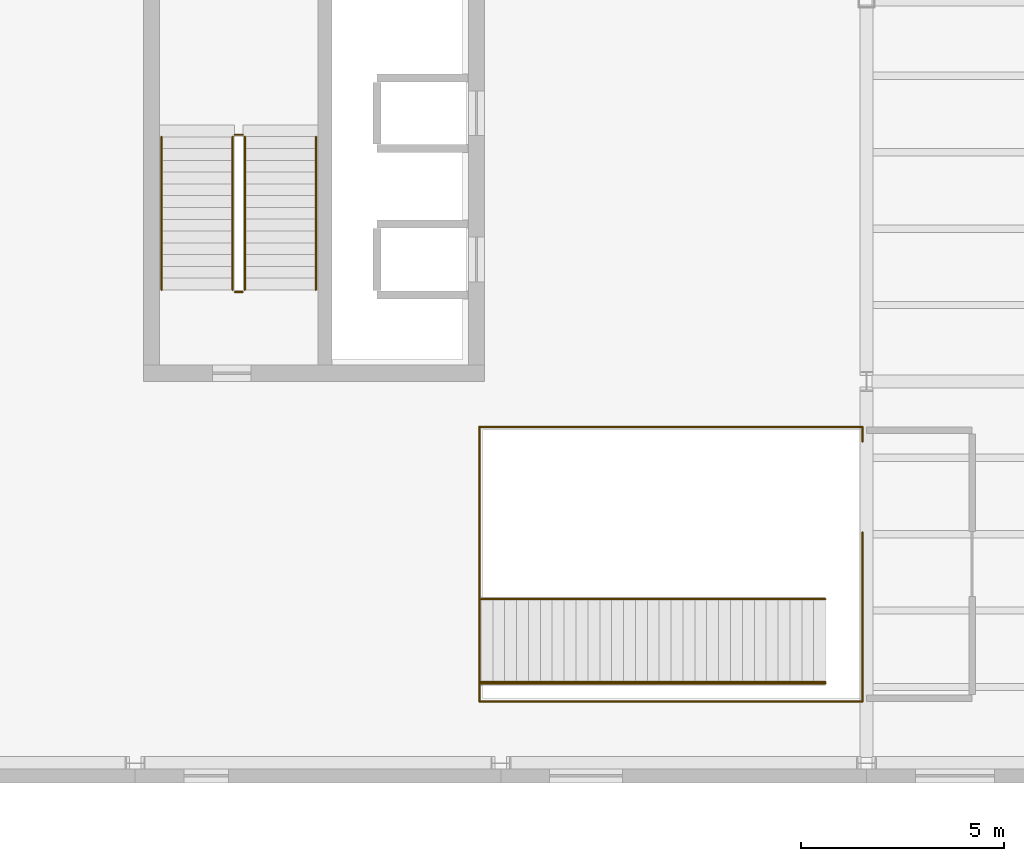
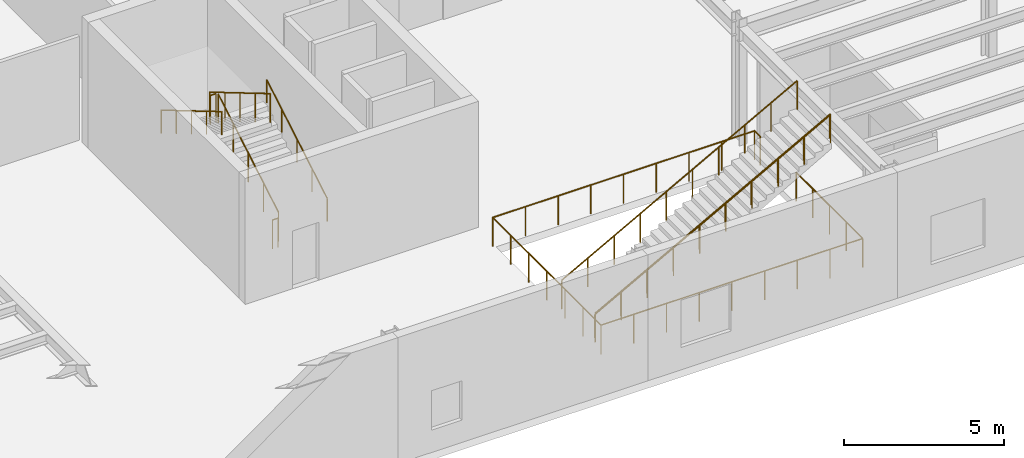
# One storey, part 90 of 91: 10 railings.
"""IFC4 building model written with IfcOpenShell, lengths in metres."""

from ifc_helpers import new_model, si_unit, direction, frame, origin, origin_2d, place, context, subcontext, project, spatial, circle, extrude, material, type_object, element, save


model = new_model("IFC4")

# Units and contexts
model_context = context("Model", 3, precision=1e-05, world=origin(), true_north=direction((0.0, 1.0)))
body_context = subcontext(model_context, "Body", "Model", "MODEL_VIEW")
ifc_project = project(units=[si_unit("LENGTHUNIT", "METRE"), si_unit("AREAUNIT", "SQUARE_METRE"), si_unit("VOLUMEUNIT", "CUBIC_METRE"), si_unit("PLANEANGLEUNIT", "RADIAN"), si_unit("MASSUNIT", "GRAM", prefix="KILO")], contexts=[model_context])

# Site, building, storey
site_placement = place(None, origin())
site = spatial("IfcSite", under=ifc_project, at=site_placement, CompositionType="ELEMENT")
building_placement = place(site_placement, origin())
building = spatial("IfcBuilding", under=site, at=building_placement, Name="Sollismere Congress Hotel", CompositionType="ELEMENT")
storey_placement = place(building_placement, frame((0.0, 0.0, 10.800048828125)))
storey = spatial("IfcBuildingStorey", under=building, at=storey_placement, Name="L02", CompositionType="ELEMENT", Elevation=10.800048828125)

# Railings
ifc_material_1 = material(Name="Bronze and Laminated Safety Glass", Category="glass")
railing_type_1 = type_object("IfcRailingType", Name="RL-BAL112I", PredefinedType="BALUSTRADE", material=ifc_material_1)
railing_1_placement = place(storey_placement, frame((93.89990234375, 72.47998046875, 0.0)))
element("IfcRailing", 1, at=railing_1_placement, inside=storey, type_object=railing_type_1, Name="RLG-GDA-L02-006", PredefinedType="BALUSTRADE", context=body_context, shape_type="SweptSolid", body=[
    extrude(circle(Radius=0.02392578125, at=origin_2d()), frame((0.0, 0.0, 1.09619140625), z_axis=(0.0, -1.0, 0.0), x_axis=(1.0, 0.0, 0.0)), (0.0, 0.0, 1.0), 4.159912109375),
    extrude(circle(Radius=0.02392578125, at=origin_2d()), frame((0.0, -4.159912109375, 1.09619140625), z_axis=(-1.0, 0.0, 0.0), x_axis=(0.0, -1.0, 0.0)), (0.0, 0.0, 1.0), 9.429931640625),
    extrude(circle(Radius=0.02392578125, at=origin_2d()), frame((-9.429931640625, -4.159912109375, 1.09619140625), z_axis=(0.0, 1.0, 0.0), x_axis=(-1.0, 0.0, 0.0)), (0.0, 0.0, 1.0), 6.760009765625),
    extrude(circle(Radius=0.02392578125, at=origin_2d()), frame((-9.429931640625, 2.60009765625, 1.09619140625), z_axis=(1.0, 0.0, 0.0), x_axis=(0.0, 1.0, 0.0)), (0.0, 0.0, 1.0), 9.429931640625),
    extrude(circle(Radius=0.02392578125, at=origin_2d()), frame((0.0, 2.60009765625, 1.09619140625), z_axis=(0.0, -1.0, 0.0), x_axis=(1.0, 0.0, 0.0)), (0.0, 0.0, 1.0), 0.360107421875),
    extrude(circle(Radius=0.02099609375, at=origin_2d()), origin(), (0.0, 0.0, 1.0), 1.072021484375),
    extrude(circle(Radius=0.02099609375, at=origin_2d()), frame((0.0, -1.0400390625, 0.0)), (0.0, 0.0, 1.0), 1.072021484375),
    extrude(circle(Radius=0.02099609375, at=origin_2d()), frame((0.0, -2.080078125, 0.0)), (0.0, 0.0, 1.0), 1.072021484375),
    extrude(circle(Radius=0.02099609375, at=origin_2d()), frame((0.0, -3.119873046875, 0.0)), (0.0, 0.0, 1.0), 1.072021484375),
    extrude(circle(Radius=0.02099609375, at=origin_2d()), frame((0.0, -4.159912109375, 0.0)), (0.0, 0.0, 1.0), 1.072021484375),
    extrude(circle(Radius=0.02099609375, at=origin_2d()), frame((-1.1787109375, -4.159912109375, 0.0)), (0.0, 0.0, 1.0), 1.072021484375),
    extrude(circle(Radius=0.02099609375, at=origin_2d()), frame((-2.357421875, -4.159912109375, 0.0)), (0.0, 0.0, 1.0), 1.072021484375),
    extrude(circle(Radius=0.02099609375, at=origin_2d()), frame((-3.5361328125, -4.159912109375, 0.0)), (0.0, 0.0, 1.0), 1.072021484375),
    extrude(circle(Radius=0.02099609375, at=origin_2d()), frame((-4.71484375, -4.159912109375, 0.0)), (0.0, 0.0, 1.0), 1.072021484375),
    extrude(circle(Radius=0.02099609375, at=origin_2d()), frame((-5.893798828125, -4.159912109375, 0.0)), (0.0, 0.0, 1.0), 1.072021484375),
    extrude(circle(Radius=0.02099609375, at=origin_2d()), frame((-7.072509765625, -4.159912109375, 0.0)), (0.0, 0.0, 1.0), 1.072021484375),
    extrude(circle(Radius=0.02099609375, at=origin_2d()), frame((-8.251220703125, -4.159912109375, 0.0)), (0.0, 0.0, 1.0), 1.072021484375),
    extrude(circle(Radius=0.02099609375, at=origin_2d()), frame((-9.429931640625, -4.159912109375, 0.0)), (0.0, 0.0, 1.0), 1.072021484375),
    extrude(circle(Radius=0.02099609375, at=origin_2d()), frame((-9.429931640625, -3.033203125, 0.0)), (0.0, 0.0, 1.0), 1.072021484375),
    extrude(circle(Radius=0.02099609375, at=origin_2d()), frame((-9.429931640625, -1.906494140625, 0.0)), (0.0, 0.0, 1.0), 1.072021484375),
    extrude(circle(Radius=0.02099609375, at=origin_2d()), frame((-9.429931640625, -0.77978515625, 0.0)), (0.0, 0.0, 1.0), 1.072021484375),
    extrude(circle(Radius=0.02099609375, at=origin_2d()), frame((-9.429931640625, 0.3466796875, 0.0)), (0.0, 0.0, 1.0), 1.072021484375),
    extrude(circle(Radius=0.02099609375, at=origin_2d()), frame((-9.429931640625, 1.473388671875, 0.0)), (0.0, 0.0, 1.0), 1.072021484375),
    extrude(circle(Radius=0.02099609375, at=origin_2d()), frame((-9.429931640625, 2.60009765625, 0.0)), (0.0, 0.0, 1.0), 1.072021484375),
    extrude(circle(Radius=0.02099609375, at=origin_2d()), frame((-8.251220703125, 2.60009765625, 0.0)), (0.0, 0.0, 1.0), 1.072021484375),
    extrude(circle(Radius=0.02099609375, at=origin_2d()), frame((-7.072509765625, 2.60009765625, 0.0)), (0.0, 0.0, 1.0), 1.072021484375),
    extrude(circle(Radius=0.02099609375, at=origin_2d()), frame((-5.893798828125, 2.60009765625, 0.0)), (0.0, 0.0, 1.0), 1.072021484375),
    extrude(circle(Radius=0.02099609375, at=origin_2d()), frame((-4.71484375, 2.60009765625, 0.0)), (0.0, 0.0, 1.0), 1.072021484375),
    extrude(circle(Radius=0.02099609375, at=origin_2d()), frame((-3.5361328125, 2.60009765625, 0.0)), (0.0, 0.0, 1.0), 1.072021484375),
    extrude(circle(Radius=0.02099609375, at=origin_2d()), frame((-2.357421875, 2.60009765625, 0.0)), (0.0, 0.0, 1.0), 1.072021484375),
    extrude(circle(Radius=0.02099609375, at=origin_2d()), frame((-1.1787109375, 2.60009765625, 0.0)), (0.0, 0.0, 1.0), 1.072021484375),
    extrude(circle(Radius=0.02099609375, at=origin_2d()), frame((0.0, 2.60009765625, 0.0)), (0.0, 0.0, 1.0), 1.072021484375),
    extrude(circle(Radius=0.02099609375, at=origin_2d()), frame((0.0, 2.239990234375, 0.0)), (0.0, 0.0, 1.0), 1.072021484375),
])
ifc_material_2 = material(Name="Steel ASTM A500 Grade C", Category="steel")
railing_type_2 = type_object("IfcRailingType", Name="RL-GRD112", PredefinedType="GUARDRAIL", material=ifc_material_2)
railing_2_placement = place(storey_placement, frame((78.699951171875, 78.449951171875, 0.17138671875)))
element("IfcRailing", 2, at=railing_2_placement, inside=storey, type_object=railing_type_2, Name="RLG-RG-ST-04-L02-1", PredefinedType="GUARDRAIL", context=body_context, shape_type="SweptSolid", body=[
    extrude(circle(Radius=0.02392578125, at=origin_2d()), frame((0.0, 0.0, 1.09619140625), z_axis=(0.0, 0.860848830602, 0.508860777473), x_axis=(-1.0, 0.0, 0.0)), (0.0, 0.0, 1.0), 4.37939453125),
    extrude(circle(Radius=0.02099609375, at=origin_2d()), origin(), (0.0, 0.0, 1.0), 1.072021484375),
    extrude(circle(Radius=0.02099609375, at=origin_2d()), frame((0.0, 0.9423828125, 0.55712890625)), (0.0, 0.0, 1.0), 1.072021484375),
    extrude(circle(Radius=0.02099609375, at=origin_2d()), frame((0.0, 1.885009765625, 1.1142578125)), (0.0, 0.0, 1.0), 1.072021484375),
    extrude(circle(Radius=0.02099609375, at=origin_2d()), frame((0.0, 2.82763671875, 1.67138671875)), (0.0, 0.0, 1.0), 1.072021484375),
    extrude(circle(Radius=0.02099609375, at=origin_2d()), frame((0.0, 3.77001953125, 2.228515625)), (0.0, 0.0, 1.0), 1.072021484375),
])
railing_3_placement = place(storey_placement, frame((78.64990234375, 82.27001953125, 2.39990234375)))
element("IfcRailing", 3, at=railing_3_placement, inside=storey, type_object=railing_type_2, Name="RLG-RG-ST-04-L02-2", PredefinedType="GUARDRAIL", context=body_context, shape_type="SweptSolid", body=[
    extrude(circle(Radius=0.02392578125, at=origin_2d()), frame((0.0, 0.0, 1.09619140625), z_axis=(-1.0, 0.0, 0.0), x_axis=(0.0, -1.0, 0.0)), (0.0, 0.0, 1.0), 0.199951171875),
    extrude(circle(Radius=0.02099609375, at=origin_2d()), origin(), (0.0, 0.0, 1.0), 1.072021484375),
    extrude(circle(Radius=0.02099609375, at=origin_2d()), frame((-0.199951171875, 0.0, 0.0)), (0.0, 0.0, 1.0), 1.072021484375),
])
railing_4_placement = place(storey_placement, frame((78.39990234375, 82.219970703125, 2.5712890625)))
element("IfcRailing", 4, at=railing_4_placement, inside=storey, type_object=railing_type_2, Name="RLG-RG-ST-04-L02-3", PredefinedType="GUARDRAIL", context=body_context, shape_type="SweptSolid", body=[
    extrude(circle(Radius=0.02392578125, at=origin_2d()), frame((0.0, 0.0, 1.09619140625), z_axis=(0.0, -0.860824410104, 0.508902087802), x_axis=(1.0, 0.0, 0.0)), (0.0, 0.0, 1.0), 4.379638671875),
    extrude(circle(Radius=0.02099609375, at=origin_2d()), origin(), (0.0, 0.0, 1.0), 1.072021484375),
    extrude(circle(Radius=0.02099609375, at=origin_2d()), frame((0.0, -0.9423828125, 0.55712890625)), (0.0, 0.0, 1.0), 1.072021484375),
    extrude(circle(Radius=0.02099609375, at=origin_2d()), frame((0.0, -1.885009765625, 1.1142578125)), (0.0, 0.0, 1.0), 1.072021484375),
    extrude(circle(Radius=0.02099609375, at=origin_2d()), frame((0.0, -2.82763671875, 1.671630859375)), (0.0, 0.0, 1.0), 1.072021484375),
    extrude(circle(Radius=0.02099609375, at=origin_2d()), frame((0.0, -3.77001953125, 2.228759765625)), (0.0, 0.0, 1.0), 1.072021484375),
])
railing_5_placement = place(storey_placement, frame((78.64990234375, 78.39990234375, 0.0)))
element("IfcRailing", 5, at=railing_5_placement, inside=storey, type_object=railing_type_2, Name="RLG-RG-ST-04-L02-4", PredefinedType="GUARDRAIL", context=body_context, shape_type="SweptSolid", body=[
    extrude(circle(Radius=0.02392578125, at=origin_2d()), frame((0.0, 0.0, 1.09619140625), z_axis=(-1.0, 0.0, 0.0), x_axis=(0.0, -1.0, 0.0)), (0.0, 0.0, 1.0), 0.199951171875),
    extrude(circle(Radius=0.02099609375, at=origin_2d()), origin(), (0.0, 0.0, 1.0), 1.072021484375),
    extrude(circle(Radius=0.02099609375, at=origin_2d()), frame((-0.199951171875, 0.0, 0.0)), (0.0, 0.0, 1.0), 1.072021484375),
])
for number, where, name in (
    (6, (84.510009765625, 68.760009765625, 0.169921875), "RLG-RG-ST-13-A"),
    (7, (84.510009765625, 70.840087890625, 0.169921875), "RLG-RG-ST-13-B"),
):
    element("IfcRailing", number, at=place(storey_placement, frame(where)), inside=storey, type_object=railing_type_2, Name=name, PredefinedType="GUARDRAIL", context=body_context, shape_type="SweptSolid", body=[
        extrude(circle(Radius=0.02392578125, at=origin_2d()), frame((0.0, 0.0, 1.09619140625), z_axis=(0.877749745013, 0.0, 0.47911938505), x_axis=(0.0, 1.0, 0.0)), (0.0, 0.0, 1.0), 9.663818359375),
        extrude(circle(Radius=0.02099609375, at=origin_2d()), origin(), (0.0, 0.0, 1.0), 1.072021484375),
        extrude(circle(Radius=0.02099609375, at=origin_2d()), frame((0.9423828125, 0.0, 0.514404296875)), (0.0, 0.0, 1.0), 1.072021484375),
        extrude(circle(Radius=0.02099609375, at=origin_2d()), frame((1.885009765625, 0.0, 1.02880859375)), (0.0, 0.0, 1.0), 1.072021484375),
        extrude(circle(Radius=0.02099609375, at=origin_2d()), frame((2.827392578125, 0.0, 1.54345703125)), (0.0, 0.0, 1.0), 1.072021484375),
        extrude(circle(Radius=0.02099609375, at=origin_2d()), frame((3.77001953125, 0.0, 2.057861328125)), (0.0, 0.0, 1.0), 1.072021484375),
        extrude(circle(Radius=0.02099609375, at=origin_2d()), frame((4.71240234375, 0.0, 2.572265625)), (0.0, 0.0, 1.0), 1.072021484375),
        extrude(circle(Radius=0.02099609375, at=origin_2d()), frame((5.655029296875, 0.0, 3.086669921875)), (0.0, 0.0, 1.0), 1.072021484375),
        extrude(circle(Radius=0.02099609375, at=origin_2d()), frame((6.597412109375, 0.0, 3.601318359375)), (0.0, 0.0, 1.0), 1.072021484375),
        extrude(circle(Radius=0.02099609375, at=origin_2d()), frame((7.5400390625, 0.0, 4.11572265625)), (0.0, 0.0, 1.0), 1.072021484375),
        extrude(circle(Radius=0.02099609375, at=origin_2d()), frame((8.482421875, 0.0, 4.630126953125)), (0.0, 0.0, 1.0), 1.072021484375),
    ])
ifc_material_3 = material(Name="Brushed Architectural Bronze")
railing_type_3 = type_object("IfcRailingType", Name="RL-HND90", PredefinedType="HANDRAIL", material=ifc_material_3)
railing_6_placement = place(storey_placement, frame((80.449951171875, 78.449951171875, 0.31884765625)))
element("IfcRailing", 8, at=railing_6_placement, inside=storey, type_object=railing_type_3, Name="RLG-RH-ST-04-L02-1", PredefinedType="HANDRAIL", context=body_context, shape_type="SweptSolid", body=[
    extrude(circle(Radius=0.02392578125, at=origin_2d()), frame((0.0, 0.0, 0.8759765625), z_axis=(0.0, 0.860848830602, 0.508860777473), x_axis=(-1.0, 0.0, 0.0)), (0.0, 0.0, 1.0), 4.37939453125),
    extrude(circle(Radius=0.02099609375, at=origin_2d()), origin(), (0.0, 0.0, 1.0), 0.851806640625),
    extrude(circle(Radius=0.02099609375, at=origin_2d()), frame((0.0, 0.9423828125, 0.55712890625)), (0.0, 0.0, 1.0), 0.851806640625),
    extrude(circle(Radius=0.02099609375, at=origin_2d()), frame((0.0, 1.885009765625, 1.1142578125)), (0.0, 0.0, 1.0), 0.851806640625),
    extrude(circle(Radius=0.02099609375, at=origin_2d()), frame((0.0, 2.82763671875, 1.67138671875)), (0.0, 0.0, 1.0), 0.851806640625),
    extrude(circle(Radius=0.02099609375, at=origin_2d()), frame((0.0, 3.77001953125, 2.228515625)), (0.0, 0.0, 1.0), 0.851806640625),
])
railing_7_placement = place(storey_placement, frame((76.64990234375, 82.219970703125, 2.71875)))
element("IfcRailing", 9, at=railing_7_placement, inside=storey, type_object=railing_type_3, Name="RLG-RH-ST-04-L02-2", PredefinedType="HANDRAIL", context=body_context, shape_type="SweptSolid", body=[
    extrude(circle(Radius=0.02392578125, at=origin_2d()), frame((0.0, 0.0, 0.8759765625), z_axis=(0.0, -0.860848830602, 0.508860777473), x_axis=(1.0, 0.0, 0.0)), (0.0, 0.0, 1.0), 4.37939453125),
    extrude(circle(Radius=0.02099609375, at=origin_2d()), origin(), (0.0, 0.0, 1.0), 0.851806640625),
    extrude(circle(Radius=0.02099609375, at=origin_2d()), frame((0.0, -0.9423828125, 0.55712890625)), (0.0, 0.0, 1.0), 0.851806640625),
    extrude(circle(Radius=0.02099609375, at=origin_2d()), frame((0.0, -1.885009765625, 1.1142578125)), (0.0, 0.0, 1.0), 0.851806640625),
    extrude(circle(Radius=0.02099609375, at=origin_2d()), frame((0.0, -2.82763671875, 1.67138671875)), (0.0, 0.0, 1.0), 0.851806640625),
    extrude(circle(Radius=0.02099609375, at=origin_2d()), frame((0.0, -3.77001953125, 2.228515625)), (0.0, 0.0, 1.0), 0.851806640625),
])
railing_8_placement = place(storey_placement, frame((84.510009765625, 68.800048828125, 0.306884765625)))
element("IfcRailing", 10, at=railing_8_placement, inside=storey, type_object=railing_type_3, Name="RLG-RH-ST-13", PredefinedType="HANDRAIL", context=body_context, shape_type="SweptSolid", body=[
    extrude(circle(Radius=0.02392578125, at=origin_2d()), frame((0.0, 0.0, 0.8759765625), z_axis=(0.877558477182, 0.0, 0.479469622736), x_axis=(0.0, 1.0, 0.0)), (0.0, 0.0, 1.0), 9.666015625),
    extrude(circle(Radius=0.02099609375, at=origin_2d()), origin(), (0.0, 0.0, 1.0), 0.851806640625),
    extrude(circle(Radius=0.02099609375, at=origin_2d()), frame((0.9423828125, 0.0, 0.514892578125)), (0.0, 0.0, 1.0), 0.851806640625),
    extrude(circle(Radius=0.02099609375, at=origin_2d()), frame((1.885009765625, 0.0, 1.02978515625)), (0.0, 0.0, 1.0), 0.851806640625),
    extrude(circle(Radius=0.02099609375, at=origin_2d()), frame((2.827392578125, 0.0, 1.544921875)), (0.0, 0.0, 1.0), 0.851806640625),
    extrude(circle(Radius=0.02099609375, at=origin_2d()), frame((3.77001953125, 0.0, 2.059814453125)), (0.0, 0.0, 1.0), 0.851806640625),
    extrude(circle(Radius=0.02099609375, at=origin_2d()), frame((4.71240234375, 0.0, 2.57470703125)), (0.0, 0.0, 1.0), 0.851806640625),
    extrude(circle(Radius=0.02099609375, at=origin_2d()), frame((5.655029296875, 0.0, 3.089599609375)), (0.0, 0.0, 1.0), 0.851806640625),
    extrude(circle(Radius=0.02099609375, at=origin_2d()), frame((6.597412109375, 0.0, 3.604736328125)), (0.0, 0.0, 1.0), 0.851806640625),
    extrude(circle(Radius=0.02099609375, at=origin_2d()), frame((7.5400390625, 0.0, 4.11962890625)), (0.0, 0.0, 1.0), 0.851806640625),
    extrude(circle(Radius=0.02099609375, at=origin_2d()), frame((8.482421875, 0.0, 4.634521484375)), (0.0, 0.0, 1.0), 0.851806640625),
])

save(model, "model.ifc")
